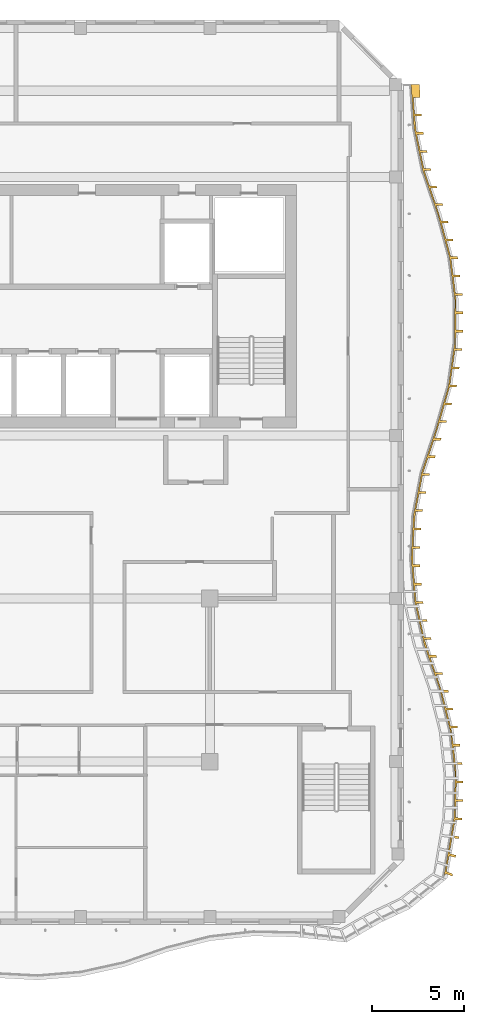
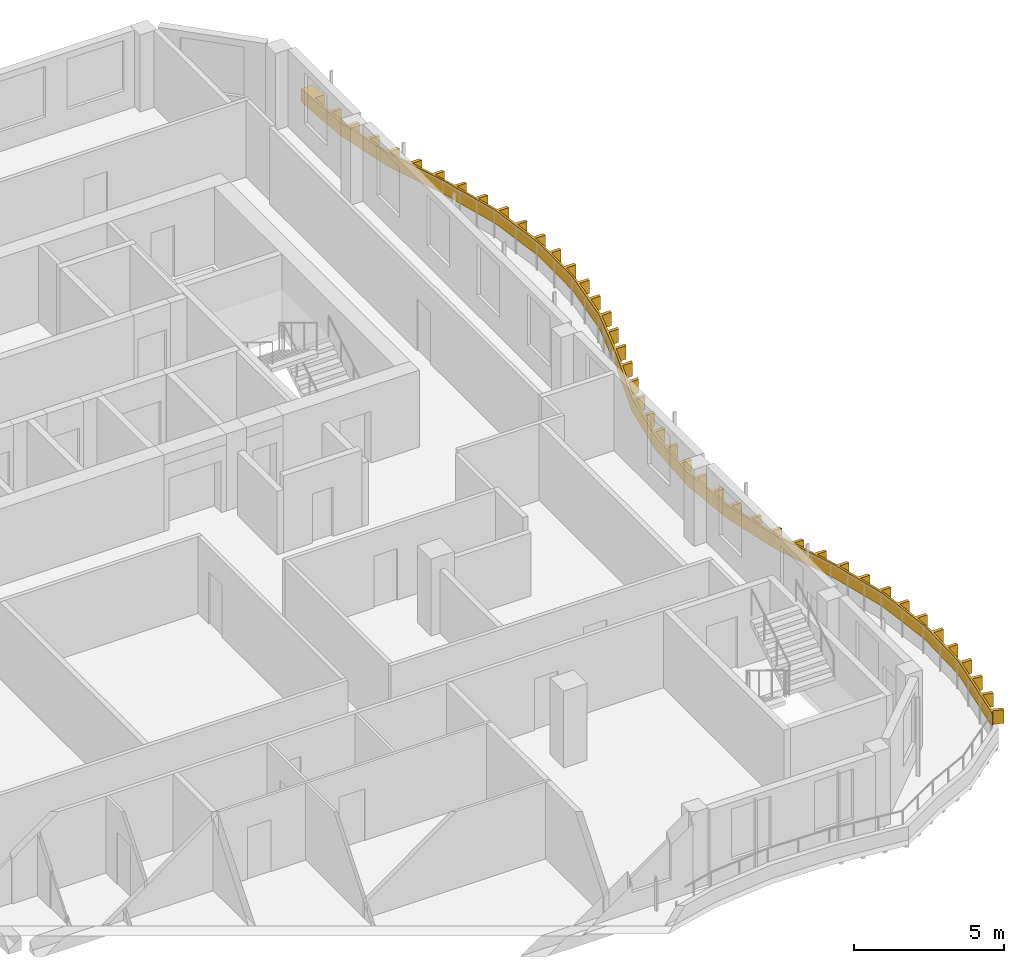
# One storey, part 17 of 18: 1 shading device.
"""IFC4 building model written with IfcOpenShell, lengths in metres."""

from ifc_helpers import new_model, si_unit, direction, frame, origin, place, context, subcontext, project, spatial, polyline, outline, extrude, source, transform, mapped, material, layer, layer_set, type_object, element, save


model = new_model("IFC4")

# Units and contexts
model_context = context("Model", 3, precision=1e-05, world=origin(), true_north=direction((0.0, 1.0)))
body_context = subcontext(model_context, "Body", "Model", "MODEL_VIEW")
ifc_project = project(units=[si_unit("LENGTHUNIT", "METRE"), si_unit("AREAUNIT", "SQUARE_METRE"), si_unit("VOLUMEUNIT", "CUBIC_METRE"), si_unit("PLANEANGLEUNIT", "RADIAN"), si_unit("MASSUNIT", "GRAM", prefix="KILO")], contexts=[model_context])

# Site, building, storey
site_placement = place(None, origin())
site = spatial("IfcSite", under=ifc_project, at=site_placement, CompositionType="ELEMENT")
building_placement = place(site_placement, origin())
building = spatial("IfcBuilding", under=site, at=building_placement, Name="Kilnfold Tower and Market Hall", CompositionType="ELEMENT")
storey_placement = place(building_placement, frame((0.0, 0.0, 277.199951171875)))
storey = spatial("IfcBuildingStorey", under=building, at=storey_placement, Name="L68", CompositionType="ELEMENT", Elevation=277.199951171875)

# Shading device
ifc_material = material(Name="Bronze anodised aluminium", Category="aluminium")
ifc_layer = layer(ifc_material, 0.550048828125)
ifc_layer_set = layer_set([ifc_layer], Name="Bronze anodised aluminium")
shading_device_type = type_object("IfcShadingDeviceType", Name="BRONZE SLAT FASCIA 550", PredefinedType="USERDEFINED", material=ifc_layer_set)
shared_shape = source(origin(), body_context, "Body", "SweptSolid", [
    extrude(outline(polyline([(26.1328125, -15.876220703125), (25.788818359375, -15.74267578125), (25.692138671875, -15.84912109375), (26.231201171875, -12.666748046875), (26.2822265625, -10.333251953125), (26.01806640625, -8.0), (25.424072265625, -5.666748046875), (24.60888671875, -3.333251953125), (24.093017578125, -1.0), (23.90185546875, 1.333251953125), (24.024658203125, 3.666748046875), (24.468505859375, 6.0), (25.248779296875, 8.333251953125), (25.91845703125, 10.666748046875), (26.251953125, 13.0), (26.268798828125, 15.333251953125), (25.97021484375, 17.666748046875), (25.338623046875, 20.0), (24.53662109375, 22.333251953125), (24.056884765625, 24.666748046875), (23.89990234375, 27.0), (24.35009765625, 27.0), (24.397216796875, 26.29736328125), (24.02734375, 26.29736328125), (24.08642578125, 25.419189453125), (24.456298828125, 25.419189453125), (24.46435546875, 25.299560546875), (24.094482421875, 25.299560546875), (24.1865234375, 24.426025390625), (24.556396484375, 24.426025390625), (24.58056640625, 24.30859375), (24.210693359375, 24.30859375), (24.387939453125, 23.446533203125), (24.7578125, 23.446533203125), (24.781982421875, 23.328857421875), (24.412109375, 23.328857421875), (24.589111328125, 22.467041015625), (24.959228515625, 22.467041015625), (24.9833984375, 22.349365234375), (24.61328125, 22.349365234375), (24.8974609375, 21.5166015625), (25.267333984375, 21.5166015625), (25.306396484375, 21.4033203125), (24.936279296875, 21.4033203125), (25.222412109375, 20.57080078125), (25.59228515625, 20.57080078125), (25.63134765625, 20.45751953125), (25.261474609375, 20.45751953125), (25.522216796875, 19.617431640625), (25.89208984375, 19.617431640625), (25.923583984375, 19.501708984375), (25.553466796875, 19.501708984375), (25.783447265625, 18.652099609375), (26.1533203125, 18.652099609375), (26.184814453125, 18.536376953125), (25.814697265625, 18.536376953125), (26.044677734375, 17.68701171875), (26.414794921875, 17.68701171875), (26.420166015625, 17.666748046875), (26.432861328125, 17.568603515625), (26.062744140625, 17.568603515625), (26.174560546875, 16.695556640625), (26.54443359375, 16.695556640625), (26.559814453125, 16.57666015625), (26.189697265625, 16.57666015625), (26.301513671875, 15.70361328125), (26.67138671875, 15.70361328125), (26.686767578125, 15.584716796875), (26.316650390625, 15.584716796875), (26.344482421875, 14.706787109375), (26.71435546875, 14.706787109375), (26.71337890625, 14.586669921875), (26.343505859375, 14.586669921875), (26.337158203125, 13.706787109375), (26.70703125, 13.706787109375), (26.706298828125, 13.5869140625), (26.336181640625, 13.5869140625), (26.29052734375, 12.709716796875), (26.660400390625, 12.709716796875), (26.6435546875, 12.5908203125), (26.2734375, 12.5908203125), (26.14892578125, 11.7197265625), (26.51904296875, 11.7197265625), (26.501953125, 11.60107421875), (26.132080078125, 11.60107421875), (26.00732421875, 10.72998046875), (26.37744140625, 10.72998046875), (26.368408203125, 10.666748046875), (26.352783203125, 10.61279296875), (25.98291015625, 10.61279296875), (25.740234375, 9.766845703125), (26.110107421875, 9.766845703125), (26.0771484375, 9.651611328125), (25.70703125, 9.651611328125), (25.46435546875, 8.8056640625), (25.83447265625, 8.8056640625), (25.80126953125, 8.690185546875), (25.431396484375, 8.690185546875), (25.16748046875, 7.850830078125), (25.53759765625, 7.850830078125), (25.49951171875, 7.737060546875), (25.12939453125, 7.737060546875), (24.850341796875, 6.902587890625), (25.220458984375, 6.902587890625), (25.182373046875, 6.788818359375), (24.8125, 6.788818359375), (24.53955078125, 5.952392578125), (24.90966796875, 5.952392578125), (24.88720703125, 5.834716796875), (24.51708984375, 5.834716796875), (24.352783203125, 4.97021484375), (24.72265625, 4.97021484375), (24.7001953125, 4.852294921875), (24.330078125, 4.852294921875), (24.165771484375, 3.98779296875), (24.535888671875, 3.98779296875), (24.513427734375, 3.869873046875), (24.143310546875, 3.869873046875), (24.0693359375, 2.994384765625), (24.439208984375, 2.994384765625), (24.43310546875, 2.87451171875), (24.06298828125, 2.87451171875), (24.0166015625, 1.995849609375), (24.38671875, 1.995849609375), (24.38037109375, 1.8759765625), (24.010498046875, 1.8759765625), (24.00927734375, 0.997802734375), (24.37939453125, 0.997802734375), (24.38916015625, 0.87841796875), (24.01904296875, 0.87841796875), (24.091064453125, 0.001220703125), (24.4609375, 0.001220703125), (24.470703125, -0.118408203125), (24.100830078125, -0.118408203125), (24.172607421875, -0.995361328125), (24.54248046875, -0.995361328125), (24.56787109375, -1.11279296875), (24.197998046875, -1.11279296875), (24.387939453125, -1.971923828125), (24.7578125, -1.971923828125), (24.783935546875, -2.089111328125), (24.413818359375, -2.089111328125), (24.60400390625, -2.9482421875), (24.973876953125, -2.9482421875), (24.999755859375, -3.0654296875), (24.6298828125, -3.0654296875), (24.888671875, -3.9052734375), (25.2587890625, -3.9052734375), (25.29833984375, -4.0185546875), (24.92822265625, -4.0185546875), (25.218505859375, -4.84912109375), (25.58837890625, -4.84912109375), (25.6279296875, -4.96240234375), (25.258056640625, -4.96240234375), (25.537109375, -5.796630859375), (25.906982421875, -5.796630859375), (25.936767578125, -5.9130859375), (25.566650390625, -5.9130859375), (25.78369140625, -6.765625), (26.15380859375, -6.765625), (26.183349609375, -6.882080078125), (25.8134765625, -6.882080078125), (26.030517578125, -7.73486328125), (26.400634765625, -7.73486328125), (26.43017578125, -7.85107421875), (26.060302734375, -7.85107421875), (26.1796875, -8.7216796875), (26.5498046875, -8.7216796875), (26.563232421875, -8.841064453125), (26.193359375, -8.841064453125), (26.292236328125, -9.71533203125), (26.662353515625, -9.71533203125), (26.67578125, -9.834716796875), (26.305908203125, -9.834716796875), (26.35400390625, -10.71142578125), (26.72412109375, -10.71142578125), (26.72119140625, -10.831298828125), (26.351318359375, -10.831298828125), (26.33203125, -11.711181640625), (26.7021484375, -11.711181640625), (26.699462890625, -11.8310546875), (26.32958984375, -11.8310546875), (26.303955078125, -12.709716796875), (26.673583984375, -12.71142578125), (26.65283203125, -12.833251953125), (26.28369140625, -12.826416015625), (26.13720703125, -13.681640625), (26.500244140625, -13.725830078125), (26.4794921875, -13.84765625), (26.1171875, -13.798095703125), (25.971923828125, -14.653564453125), (26.326904296875, -14.739990234375), (26.30615234375, -14.86181640625), (25.9521484375, -14.770263671875), (25.808349609375, -15.6259765625), (26.153564453125, -15.75439453125), (26.1328125, -15.876220703125)])), origin(), (0.0, 0.0, 1.0), 0.550048828125),
])
shading_device_placement = place(storey_placement, frame((0.0, 0.0, 0.550048828125)))
element("IfcShadingDevice", 1, at=shading_device_placement, inside=storey, type_object=shading_device_type, Name="Balcony slat fascia L68", ObjectType="SLAT", PredefinedType="USERDEFINED", context=body_context, shape_type="MappedRepresentation", body=[
    mapped(shared_shape, transform((0.0, 0.0, 0.0))),
])

save(model, "model.ifc")
